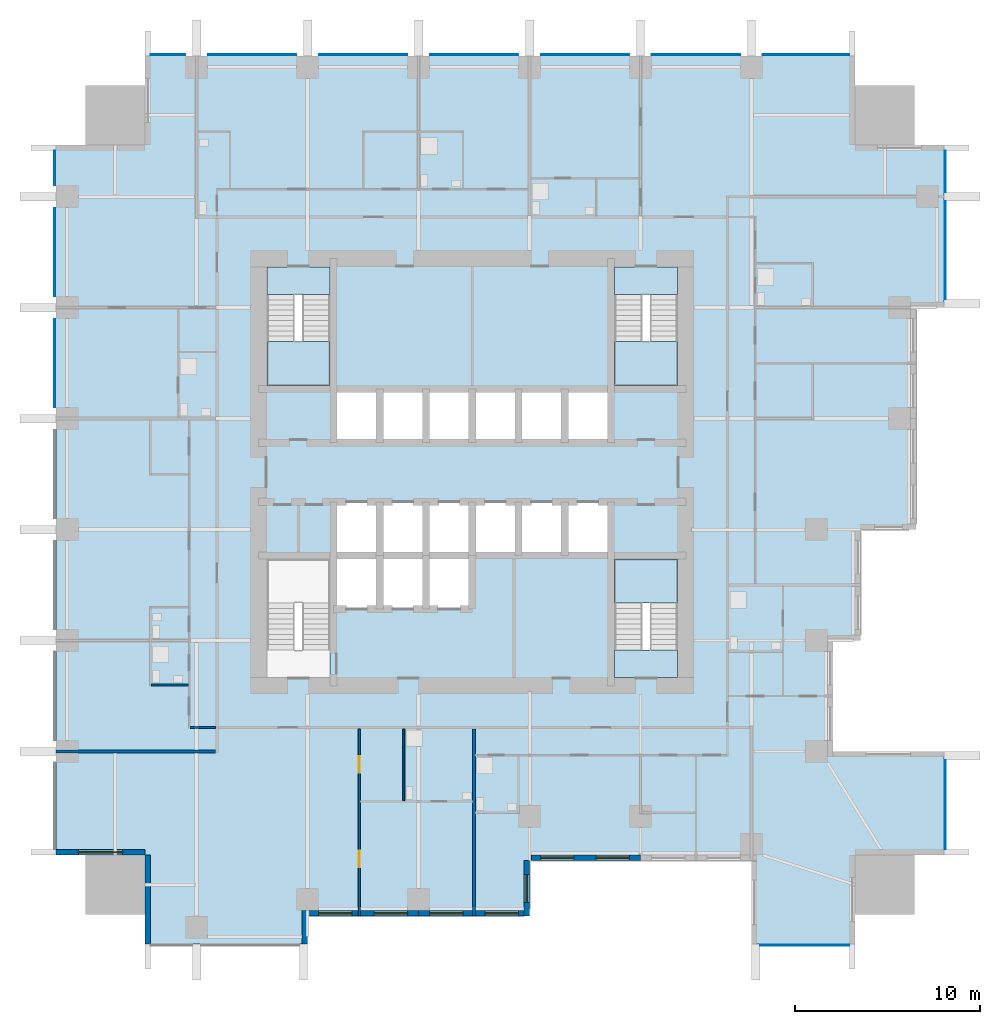
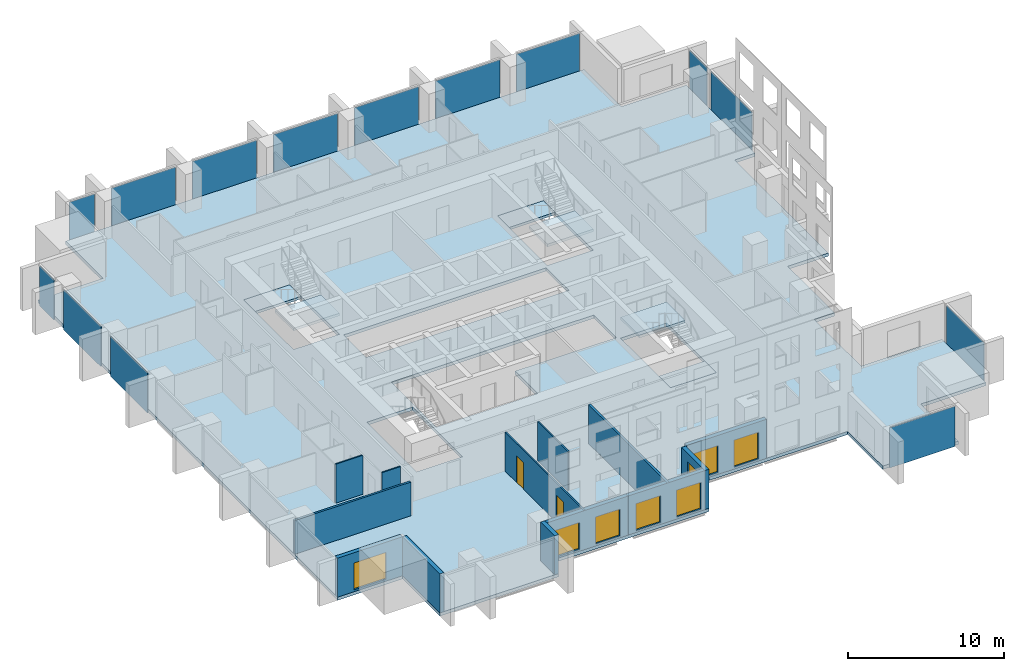
# One storey, part 3 of 11: 14 plates, 13 walls, 8 windows, 7 slabs, 2 doors, 10 openings, 8 elements without a shape of their own.
"""IFC4 building model written with IfcOpenShell, lengths in metres."""

from ifc_helpers import new_model, si_unit, direction, frame, frame_2d, origin, origin_2d, place, context, subcontext, project, spatial, polyline, rectangle, outline, extrude, material, layer, layer_set, type_object, element, fill, aggregate, save


model = new_model("IFC4")

# Units and contexts
model_context = context("Model", 3, precision=1e-05, world=origin(), true_north=direction((0.0, 1.0)))
body_context = subcontext(model_context, "Body", "Model", "MODEL_VIEW")
ifc_project = project(units=[si_unit("LENGTHUNIT", "METRE"), si_unit("AREAUNIT", "SQUARE_METRE"), si_unit("VOLUMEUNIT", "CUBIC_METRE"), si_unit("PLANEANGLEUNIT", "RADIAN"), si_unit("MASSUNIT", "GRAM", prefix="KILO")], contexts=[model_context])

# Site, building, storey
site_placement = place(None, origin())
site = spatial("IfcSite", under=ifc_project, at=site_placement, CompositionType="ELEMENT")
building_placement = place(site_placement, origin())
building = spatial("IfcBuilding", under=site, at=building_placement, Name="Amberfall Residences", CompositionType="ELEMENT")
storey_placement = place(building_placement, frame((0.0, 0.0, 33.39990234375)))
storey = spatial("IfcBuildingStorey", under=building, at=storey_placement, Name="L08", CompositionType="ELEMENT", Elevation=33.39990234375)

# Curtain wall, plate
ifc_material_1 = material(Name="Bronze anodised aluminium and glass", Category="aluminium")
curtain_wall_type = type_object("IfcCurtainWallType", Name="Curtain wall CW1 tower unit", PredefinedType="USERDEFINED", material=ifc_material_1)
curtain_wall_1_placement = place(storey_placement, origin())
curtain_wall_1 = element("IfcCurtainWall", 1, at=curtain_wall_1_placement, inside=storey, type_object=curtain_wall_type, Name="Curtain wall L08 S S9", ObjectType="UNITISED CURTAIN WALL", PredefinedType="USERDEFINED")
ifc_material_2 = material(Name="Tinted double glazed unit", Category="glass")
ifc_layer_1 = layer(ifc_material_2, 0.035888671875)
ifc_layer_set_1 = layer_set([ifc_layer_1], Name="CW1 panel 36 glazing")
plate_type = type_object("IfcPlateType", Name="CW1 panel 36 glazing", PredefinedType="CURTAIN_PANEL", material=ifc_layer_set_1)
plate_1_placement = place(storey_placement, frame((92.47509765625, 19.925048828125, -0.249755859375), z_axis=(0.0, 0.0, 1.0), x_axis=(1.0, 0.0, 0.0)))
plate_1 = element("IfcPlate", 2, at=plate_1_placement, type_object=plate_type, Name="CW1 panel 1.1", PredefinedType="CURTAIN_PANEL", context=body_context, shape_type="SweptSolid", body=[
    extrude(rectangle(XDim=4.825927734375, YDim=0.035888671875, at=origin_2d()), origin(), (0.0, 0.0, 1.0), 3.14990234375),
])
aggregate(curtain_wall_1, [plate_1])

curtain_wall_2_placement = place(storey_placement, origin())
curtain_wall_2 = element("IfcCurtainWall", 3, at=curtain_wall_2_placement, inside=storey, type_object=curtain_wall_type, Name="Curtain wall L08 E E1", ObjectType="UNITISED CURTAIN WALL", PredefinedType="USERDEFINED")
plate_2_placement = place(storey_placement, frame((100.074951171875, 27.52490234375, -0.249755859375), z_axis=(0.0, 0.0, 1.0), x_axis=(0.0, 1.0, 0.0)))
plate_2 = element("IfcPlate", 4, at=plate_2_placement, type_object=plate_type, Name="CW1 panel 1.1", PredefinedType="CURTAIN_PANEL", context=body_context, shape_type="SweptSolid", body=[
    extrude(rectangle(XDim=4.825927734375, YDim=0.035888671875, at=origin_2d()), origin(), (0.0, 0.0, 1.0), 3.14990234375),
])
aggregate(curtain_wall_2, [plate_2])

# Curtain wall, plates
curtain_wall_3_placement = place(storey_placement, origin())
curtain_wall_3 = element("IfcCurtainWall", 5, at=curtain_wall_3_placement, inside=storey, type_object=curtain_wall_type, Name="Curtain wall L08 E E10", ObjectType="UNITISED CURTAIN WALL", PredefinedType="USERDEFINED")
plate_3_placement = place(storey_placement, frame((100.074951171875, 57.512451171875, -0.249755859375), z_axis=(0.0, 0.0, 1.0), x_axis=(0.0, 1.0, 0.0)))
plate_3 = element("IfcPlate", 6, at=plate_3_placement, type_object=plate_type, Name="CW1 panel 1.1", PredefinedType="CURTAIN_PANEL", context=body_context, shape_type="SweptSolid", body=[
    extrude(rectangle(XDim=5.301025390625, YDim=0.035888671875, at=origin_2d()), origin(), (0.0, 0.0, 1.0), 3.14990234375),
])
plate_4_placement = place(storey_placement, frame((100.074951171875, 61.762451171875, -0.249755859375), z_axis=(0.0, 0.0, 1.0), x_axis=(0.0, 1.0, 0.0)))
plate_4 = element("IfcPlate", 7, at=plate_4_placement, type_object=plate_type, Name="CW1 panel 2.1", PredefinedType="CURTAIN_PANEL", context=body_context, shape_type="SweptSolid", body=[
    extrude(rectangle(XDim=2.2509765625, YDim=0.035888671875, at=origin_2d()), origin(), (0.0, 0.0, 1.0), 3.14990234375),
])
aggregate(curtain_wall_3, [plate_3, plate_4])

curtain_wall_4_placement = place(storey_placement, origin())
curtain_wall_4 = element("IfcCurtainWall", 8, at=curtain_wall_4_placement, inside=storey, type_object=curtain_wall_type, Name="Curtain wall L08 N N1", ObjectType="UNITISED CURTAIN WALL", PredefinedType="USERDEFINED")
plate_5_placement = place(storey_placement, frame((92.552490234375, 68.074951171875, -0.249755859375), z_axis=(0.0, 0.0, 1.0), x_axis=(-1.0, 0.0, 0.0)))
plate_5 = element("IfcPlate", 9, at=plate_5_placement, type_object=plate_type, Name="CW1 panel 1.1", PredefinedType="CURTAIN_PANEL", context=body_context, shape_type="SweptSolid", body=[
    extrude(rectangle(XDim=4.6708984375, YDim=0.035888671875, at=origin_2d()), origin(), (0.0, 0.0, 1.0), 3.14990234375),
])
plate_6_placement = place(storey_placement, frame((86.60009765625, 68.074951171875, -0.249755859375), z_axis=(0.0, 0.0, 1.0), x_axis=(-1.0, 0.0, 0.0)))
plate_6 = element("IfcPlate", 10, at=plate_6_placement, type_object=plate_type, Name="CW1 panel 2.1", PredefinedType="CURTAIN_PANEL", context=body_context, shape_type="SweptSolid", body=[
    extrude(rectangle(XDim=4.76611328125, YDim=0.035888671875, at=origin_2d()), origin(), (0.0, 0.0, 1.0), 3.14990234375),
])
plate_7_placement = place(storey_placement, frame((80.60009765625, 68.074951171875, -0.249755859375), z_axis=(0.0, 0.0, 1.0), x_axis=(-1.0, 0.0, 0.0)))
plate_7 = element("IfcPlate", 11, at=plate_7_placement, type_object=plate_type, Name="CW1 panel 3.1", PredefinedType="CURTAIN_PANEL", context=body_context, shape_type="SweptSolid", body=[
    extrude(rectangle(XDim=4.76611328125, YDim=0.035888671875, at=origin_2d()), origin(), (0.0, 0.0, 1.0), 3.14990234375),
])
plate_8_placement = place(storey_placement, frame((74.60009765625, 68.074951171875, -0.249755859375), z_axis=(0.0, 0.0, 1.0), x_axis=(-1.0, 0.0, 0.0)))
plate_8 = element("IfcPlate", 12, at=plate_8_placement, type_object=plate_type, Name="CW1 panel 4.1", PredefinedType="CURTAIN_PANEL", context=body_context, shape_type="SweptSolid", body=[
    extrude(rectangle(XDim=4.76611328125, YDim=0.035888671875, at=origin_2d()), origin(), (0.0, 0.0, 1.0), 3.14990234375),
])
plate_9_placement = place(storey_placement, frame((68.60009765625, 68.074951171875, -0.249755859375), z_axis=(0.0, 0.0, 1.0), x_axis=(-1.0, 0.0, 0.0)))
plate_9 = element("IfcPlate", 13, at=plate_9_placement, type_object=plate_type, Name="CW1 panel 5.1", PredefinedType="CURTAIN_PANEL", context=body_context, shape_type="SweptSolid", body=[
    extrude(rectangle(XDim=4.76611328125, YDim=0.035888671875, at=origin_2d()), origin(), (0.0, 0.0, 1.0), 3.14990234375),
])
plate_10_placement = place(storey_placement, frame((62.60009765625, 68.074951171875, -0.249755859375), z_axis=(0.0, 0.0, 1.0), x_axis=(-1.0, 0.0, 0.0)))
plate_10 = element("IfcPlate", 14, at=plate_10_placement, type_object=plate_type, Name="CW1 panel 6.1", PredefinedType="CURTAIN_PANEL", context=body_context, shape_type="SweptSolid", body=[
    extrude(rectangle(XDim=4.76611328125, YDim=0.035888671875, at=origin_2d()), origin(), (0.0, 0.0, 1.0), 3.14990234375),
])
plate_11_placement = place(storey_placement, frame((58.047607421875, 68.074951171875, -0.249755859375), z_axis=(0.0, 0.0, 1.0), x_axis=(-1.0, 0.0, 0.0)))
plate_11 = element("IfcPlate", 15, at=plate_11_placement, type_object=plate_type, Name="CW1 panel 7.1", PredefinedType="CURTAIN_PANEL", context=body_context, shape_type="SweptSolid", body=[
    extrude(rectangle(XDim=1.87109375, YDim=0.035888671875, at=origin_2d()), origin(), (0.0, 0.0, 1.0), 3.14990234375),
])
aggregate(curtain_wall_4, [plate_5, plate_6, plate_7, plate_8, plate_9, plate_10, plate_11])

curtain_wall_5_placement = place(storey_placement, origin())
curtain_wall_5 = element("IfcCurtainWall", 16, at=curtain_wall_5_placement, inside=storey, type_object=curtain_wall_type, Name="Curtain wall L08 W W1", ObjectType="UNITISED CURTAIN WALL", PredefinedType="USERDEFINED")
plate_12_placement = place(storey_placement, frame((51.925048828125, 61.952392578125, -0.249755859375), z_axis=(0.0, 0.0, 1.0), x_axis=(0.0, -1.0, 0.0)))
plate_12 = element("IfcPlate", 17, at=plate_12_placement, type_object=plate_type, Name="CW1 panel 1.1", PredefinedType="CURTAIN_PANEL", context=body_context, shape_type="SweptSolid", body=[
    extrude(rectangle(XDim=1.87109375, YDim=0.035888671875, at=origin_2d()), origin(), (0.0, 0.0, 1.0), 3.14990234375),
])
plate_13_placement = place(storey_placement, frame((51.925048828125, 57.39990234375, -0.249755859375), z_axis=(0.0, 0.0, 1.0), x_axis=(0.0, -1.0, 0.0)))
plate_13 = element("IfcPlate", 18, at=plate_13_placement, type_object=plate_type, Name="CW1 panel 2.1", PredefinedType="CURTAIN_PANEL", context=body_context, shape_type="SweptSolid", body=[
    extrude(rectangle(XDim=4.76611328125, YDim=0.035888671875, at=origin_2d()), origin(), (0.0, 0.0, 1.0), 3.14990234375),
])
plate_14_placement = place(storey_placement, frame((51.925048828125, 51.39990234375, -0.249755859375), z_axis=(0.0, 0.0, 1.0), x_axis=(0.0, -1.0, 0.0)))
plate_14 = element("IfcPlate", 19, at=plate_14_placement, type_object=plate_type, Name="CW1 panel 3.1", PredefinedType="CURTAIN_PANEL", context=body_context, shape_type="SweptSolid", body=[
    extrude(rectangle(XDim=4.76611328125, YDim=0.035888671875, at=origin_2d()), origin(), (0.0, 0.0, 1.0), 3.14990234375),
])
aggregate(curtain_wall_5, [plate_12, plate_13, plate_14])

# Slab
ifc_material_3 = material(Name="Concrete C80", Category="concrete")
ifc_layer_2 = layer(ifc_material_3, 0.25)
ifc_layer_set_2 = layer_set([ifc_layer_2], Name="Floor slab 250 C80")
slab_type_1 = type_object("IfcSlabType", Name="Floor slab 250 C80", PredefinedType="FLOOR", material=ifc_layer_set_2)
slab_1_placement = place(storey_placement, frame((0.0, 0.0, -0.25)))
element("IfcSlab", 20, at=slab_1_placement, inside=storey, type_object=slab_type_1, Name="Floor slab S3 L08", PredefinedType="FLOOR", context=body_context, shape_type="SweptSolid", body=[
    extrude(outline(polyline([(89.60009765625, 20.0), (89.60009765625, 24.5), (83.60009765625, 24.5), (77.60009765625, 24.5), (77.60009765625, 21.5), (71.60009765625, 21.5), (65.60009765625, 21.5), (65.60009765625, 20.0), (56.800048828125, 20.0), (56.800048828125, 24.800048828125), (52.0, 24.800048828125), (52.0, 63.199951171875), (56.800048828125, 63.199951171875), (56.800048828125, 68.0), (95.199951171875, 68.0), (95.199951171875, 63.199951171875), (100.0, 63.199951171875), (100.0, 54.39990234375), (98.5, 54.39990234375), (98.5, 48.39990234375), (98.5, 42.39990234375), (95.5, 42.39990234375), (95.5, 36.39990234375), (94.0, 36.39990234375), (94.0, 30.39990234375), (100.0, 30.39990234375), (100.0, 24.800048828125), (95.199951171875, 24.800048828125), (95.199951171875, 20.0), (89.60009765625, 20.0)]), holes=[polyline([(85.60009765625, 34.39990234375), (85.60009765625, 40.800048828125), (82.199951171875, 40.800048828125), (82.199951171875, 34.39990234375), (85.60009765625, 34.39990234375)]), polyline([(82.199951171875, 50.199951171875), (85.60009765625, 50.199951171875), (85.60009765625, 56.60009765625), (82.199951171875, 56.60009765625), (82.199951171875, 50.199951171875)]), polyline([(69.5, 50.0), (67.0, 50.0), (67.0, 47.10009765625), (69.5, 47.10009765625), (72.0, 47.10009765625), (74.5, 47.10009765625), (77.0, 47.10009765625), (79.5, 47.10009765625), (82.0, 47.10009765625), (82.0, 50.0), (79.5, 50.0), (77.0, 50.0), (74.5, 50.0), (72.0, 50.0), (69.5, 50.0)]), polyline([(74.5, 41.0), (77.0, 41.0), (79.5, 41.0), (82.0, 41.0), (82.0, 43.89990234375), (79.5, 43.89990234375), (77.0, 43.89990234375), (74.5, 43.89990234375), (72.0, 43.89990234375), (69.5, 43.89990234375), (67.0, 43.89990234375), (67.0, 41.0), (67.0, 38.10009765625), (69.5, 38.10009765625), (72.0, 38.10009765625), (74.5, 38.10009765625), (74.5, 41.0)]), polyline([(66.800048828125, 34.39990234375), (66.800048828125, 40.800048828125), (63.39990234375, 40.800048828125), (63.39990234375, 34.39990234375), (66.800048828125, 34.39990234375)]), polyline([(66.800048828125, 50.199951171875), (66.800048828125, 56.60009765625), (63.39990234375, 56.60009765625), (63.39990234375, 50.199951171875), (66.800048828125, 50.199951171875)])]), origin(), (0.0, 0.0, 1.0), 0.25),
])

# Stair, slabs
ifc_material_4 = material(Name="Concrete C40", Category="concrete")
stair_type = type_object("IfcStairType", Name="Exit stair 20 risers 165.0 mm", PredefinedType="HALF_TURN_STAIR", material=ifc_material_4)
stair_1_placement = place(storey_placement, origin())
stair_1 = element("IfcStair", 21, at=stair_1_placement, inside=storey, type_object=stair_type, Name="L08 Exit stair 2", PredefinedType="HALF_TURN_STAIR")
ifc_layer_3 = layer(ifc_material_4, 0.199951171875)
ifc_layer_set_3 = layer_set([ifc_layer_3], Name="Stair landing 200")
slab_type_2 = type_object("IfcSlabType", Name="Stair landing 200", PredefinedType="LANDING", material=ifc_layer_set_3)
slab_2_placement = place(storey_placement, frame((0.0, 0.0, 1.4501953125)))
slab_2 = element("IfcSlab", 22, at=slab_2_placement, type_object=slab_type_2, Name="ST3 landing 1", PredefinedType="LANDING", context=body_context, shape_type="SweptSolid", body=[
    extrude(outline(polyline([(85.60009765625, 38.419921875), (85.60009765625, 40.800048828125), (82.199951171875, 40.800048828125), (82.199951171875, 38.419921875), (85.60009765625, 38.419921875)])), origin(), (0.0, 0.0, 1.0), 0.199951171875),
])
slab_3_placement = place(storey_placement, frame((0.0, 0.0, -0.199951171875)))
slab_3 = element("IfcSlab", 23, at=slab_3_placement, type_object=slab_type_2, Name="ST3 landing 2", PredefinedType="LANDING", context=body_context, shape_type="SweptSolid", body=[
    extrude(outline(polyline([(85.60009765625, 34.39990234375), (85.60009765625, 35.89990234375), (82.199951171875, 35.89990234375), (82.199951171875, 34.39990234375), (85.60009765625, 34.39990234375)])), origin(), (0.0, 0.0, 1.0), 0.199951171875),
])
aggregate(stair_1, [slab_2, slab_3])

stair_2_placement = place(storey_placement, origin())
stair_2 = element("IfcStair", 24, at=stair_2_placement, inside=storey, type_object=stair_type, Name="L08 Exit stair 3", PredefinedType="HALF_TURN_STAIR")
slab_4_placement = place(storey_placement, frame((0.0, 0.0, 1.4501953125)))
slab_4 = element("IfcSlab", 25, at=slab_4_placement, type_object=slab_type_2, Name="ST3 landing 1", PredefinedType="LANDING", context=body_context, shape_type="SweptSolid", body=[
    extrude(outline(polyline([(82.199951171875, 52.580078125), (82.199951171875, 50.199951171875), (85.60009765625, 50.199951171875), (85.60009765625, 52.580078125), (82.199951171875, 52.580078125)])), origin(), (0.0, 0.0, 1.0), 0.199951171875),
])
slab_5_placement = place(storey_placement, frame((0.0, 0.0, -0.199951171875)))
slab_5 = element("IfcSlab", 26, at=slab_5_placement, type_object=slab_type_2, Name="ST3 landing 2", PredefinedType="LANDING", context=body_context, shape_type="SweptSolid", body=[
    extrude(outline(polyline([(82.199951171875, 56.60009765625), (82.199951171875, 55.10009765625), (85.60009765625, 55.10009765625), (85.60009765625, 56.60009765625), (82.199951171875, 56.60009765625)])), origin(), (0.0, 0.0, 1.0), 0.199951171875),
])
aggregate(stair_2, [slab_4, slab_5])

stair_3_placement = place(storey_placement, origin())
stair_3 = element("IfcStair", 27, at=stair_3_placement, inside=storey, type_object=stair_type, Name="L08 Exit stair 4", PredefinedType="HALF_TURN_STAIR")
slab_6_placement = place(storey_placement, frame((0.0, 0.0, 1.4501953125)))
slab_6 = element("IfcSlab", 28, at=slab_6_placement, type_object=slab_type_2, Name="ST3 landing 1", PredefinedType="LANDING", context=body_context, shape_type="SweptSolid", body=[
    extrude(outline(polyline([(63.39990234375, 52.580078125), (63.39990234375, 50.199951171875), (66.800048828125, 50.199951171875), (66.800048828125, 52.580078125), (63.39990234375, 52.580078125)])), origin(), (0.0, 0.0, 1.0), 0.199951171875),
])
slab_7_placement = place(storey_placement, frame((0.0, 0.0, -0.199951171875)))
slab_7 = element("IfcSlab", 29, at=slab_7_placement, type_object=slab_type_2, Name="ST3 landing 2", PredefinedType="LANDING", context=body_context, shape_type="SweptSolid", body=[
    extrude(outline(polyline([(63.39990234375, 56.60009765625), (63.39990234375, 55.10009765625), (66.800048828125, 55.10009765625), (66.800048828125, 56.60009765625), (63.39990234375, 56.60009765625)])), origin(), (0.0, 0.0, 1.0), 0.199951171875),
])
aggregate(stair_3, [slab_6, slab_7])

# Wall
ifc_material_5 = material(Name="Pale stone cladding on insulated backing", Category="masonry")
ifc_layer_4 = layer(ifc_material_5, 0.300048828125)
ifc_layer_set_4 = layer_set([ifc_layer_4], Name="Bronze clad wall 300")
wall_type_1 = type_object("IfcWallType", Name="Bronze clad wall 300", PredefinedType="SOLIDWALL", material=ifc_layer_set_4)
wall_1_placement = place(storey_placement, frame((65.449951171875, 20.0, 0.0), z_axis=(0.0, 0.0, 1.0), x_axis=(0.0, 1.0, 0.0)))
element("IfcWall", 30, at=wall_1_placement, inside=storey, type_object=wall_type_1, Name="External wall L08 S", PredefinedType="SOLIDWALL", context=body_context, shape_type="SweptSolid", body=[
    extrude(rectangle(XDim=1.800048828125, YDim=0.300048828125, at=frame_2d((0.89990234375, 0.0))), origin(), (0.0, 0.0, 1.0), 3.050048828125),
])

# Wall, opening, window
wall_2_placement = place(storey_placement, frame((77.449951171875, 21.5, 0.0), z_axis=(0.0, 0.0, 1.0), x_axis=(0.0, 1.0, 0.0)))
wall_2 = element("IfcWall", 31, at=wall_2_placement, inside=storey, type_object=wall_type_1, Name="External wall L08 S", PredefinedType="SOLIDWALL", context=body_context, shape_type="SweptSolid", body=[
    extrude(rectangle(XDim=3.0, YDim=0.300048828125, at=frame_2d((1.5, 0.0))), origin(), (0.0, 0.0, 1.0), 3.050048828125),
])
opening_1_placement = place(wall_2_placement, frame((0.75, 0.0, 0.89990234375)))
opening_1 = element("IfcOpeningElement", 32, at=opening_1_placement, cuts=wall_2, Name="Opening WN1", PredefinedType="OPENING", context=body_context, shape_type="SweptSolid", body=[
    extrude(rectangle(XDim=1.5, YDim=1.5, at=frame_2d((0.75, 0.75))), frame((0.0, 0.159912109375, 0.0), z_axis=(0.0, -1.0, 0.0), x_axis=(1.0, 0.0, 0.0)), (0.0, 0.0, 1.0), 0.320068359375),
])
ifc_material_6 = material(Name="Bronze aluminium framed glazing", Category="aluminium")
window_type_1 = type_object("IfcWindowType", Name="Window 1500 x 1500 bronze", PartitioningType="DOUBLE_PANEL_VERTICAL", PredefinedType="WINDOW", material=ifc_material_6)
window_1_placement = place(opening_1_placement, origin())
window_1 = element("IfcWindow", 33, at=window_1_placement, inside=storey, type_object=window_type_1, Name="Window L08 S", OverallHeight=1.5, OverallWidth=1.5, PartitioningType="DOUBLE_PANEL_VERTICAL", PredefinedType="WINDOW", context=body_context, shape_type="SweptSolid", body=[
    extrude(rectangle(XDim=1.5, YDim=1.5, at=frame_2d((0.75, 0.75))), frame((0.0, 0.030029296875, 0.0), z_axis=(0.0, -1.0, 0.0), x_axis=(1.0, 0.0, 0.0)), (0.0, 0.0, 1.0), 0.06005859375),
])
fill(opening_1, window_1)

wall_3_placement = place(storey_placement, frame((52.0, 24.949951171875, 0.0), z_axis=(0.0, 0.0, 1.0), x_axis=(1.0, 0.0, 0.0)))
wall_3 = element("IfcWall", 34, at=wall_3_placement, inside=storey, type_object=wall_type_1, Name="External wall L08 SW", PredefinedType="SOLIDWALL", context=body_context, shape_type="SweptSolid", body=[
    extrude(rectangle(XDim=4.800048828125, YDim=0.300048828125, at=frame_2d((2.39990234375, 0.0))), origin(), (0.0, 0.0, 1.0), 3.050048828125),
])
opening_2_placement = place(wall_3_placement, frame((1.199951171875, 0.0, 0.14990234375)))
opening_2 = element("IfcOpeningElement", 35, at=opening_2_placement, cuts=wall_3, Name="Opening WN5", PredefinedType="OPENING", context=body_context, shape_type="SweptSolid", body=[
    extrude(rectangle(XDim=2.39990234375, YDim=2.10009765625, at=frame_2d((1.199951171875, 1.050048828125))), frame((0.0, 0.159912109375, 0.0), z_axis=(0.0, -1.0, 0.0), x_axis=(1.0, 0.0, 0.0)), (0.0, 0.0, 1.0), 0.320068359375),
])
window_type_2 = type_object("IfcWindowType", Name="Glazed opening 2400 x 2100 bronze", PartitioningType="DOUBLE_PANEL_VERTICAL", PredefinedType="WINDOW", material=ifc_material_6)
window_2_placement = place(opening_2_placement, origin())
window_2 = element("IfcWindow", 36, at=window_2_placement, inside=storey, type_object=window_type_2, Name="Window L08 SW", OverallHeight=2.10009765625, OverallWidth=2.39990234375, PartitioningType="DOUBLE_PANEL_VERTICAL", PredefinedType="WINDOW", context=body_context, shape_type="SweptSolid", body=[
    extrude(rectangle(XDim=2.39990234375, YDim=2.10009765625, at=frame_2d((1.199951171875, 1.050048828125))), frame((0.0, 0.030029296875, 0.0), z_axis=(0.0, -1.0, 0.0), x_axis=(1.0, 0.0, 0.0)), (0.0, 0.0, 1.0), 0.06005859375),
])
fill(opening_2, window_2)

# Wall
wall_4_placement = place(storey_placement, frame((56.949951171875, 24.800048828125, 0.0), z_axis=(0.0, 0.0, 1.0), x_axis=(0.0, -1.0, 0.0)))
element("IfcWall", 37, at=wall_4_placement, inside=storey, type_object=wall_type_1, Name="External wall L08 SW", PredefinedType="SOLIDWALL", context=body_context, shape_type="SweptSolid", body=[
    extrude(rectangle(XDim=4.800048828125, YDim=0.300048828125, at=frame_2d((2.39990234375, 0.0))), origin(), (0.0, 0.0, 1.0), 3.050048828125),
])

# Wall, openings, windows
wall_5_placement = place(storey_placement, frame((65.60009765625, 21.64990234375, 0.0), z_axis=(0.0, 0.0, 1.0), x_axis=(1.0, 0.0, 0.0)))
wall_5 = element("IfcWall", 38, at=wall_5_placement, inside=storey, type_object=wall_type_1, Name="Stone wall L08 S", PredefinedType="SOLIDWALL", context=body_context, shape_type="SweptSolid", body=[
    extrude(rectangle(XDim=6.0, YDim=0.300048828125, at=frame_2d((3.0, 0.0))), origin(), (0.0, 0.0, 1.0), 3.050048828125),
])
opening_3_placement = place(wall_5_placement, frame((0.60009765625, 0.0, 0.14990234375)))
opening_3 = element("IfcOpeningElement", 39, at=opening_3_placement, cuts=wall_5, Name="Opening WN6", PredefinedType="OPENING", context=body_context, shape_type="SweptSolid", body=[
    extrude(rectangle(XDim=1.800048828125, YDim=2.10009765625, at=frame_2d((0.89990234375, 1.050048828125))), frame((0.0, 0.159912109375, 0.0), z_axis=(0.0, -1.0, 0.0), x_axis=(1.0, 0.0, 0.0)), (0.0, 0.0, 1.0), 0.320068359375),
])
opening_4_placement = place(wall_5_placement, frame((3.60009765625, 0.0, 0.14990234375)))
opening_4 = element("IfcOpeningElement", 40, at=opening_4_placement, cuts=wall_5, Name="Opening WN6", PredefinedType="OPENING", context=body_context, shape_type="SweptSolid", body=[
    extrude(rectangle(XDim=1.800048828125, YDim=2.10009765625, at=frame_2d((0.89990234375, 1.050048828125))), frame((0.0, 0.159912109375, 0.0), z_axis=(0.0, -1.0, 0.0), x_axis=(1.0, 0.0, 0.0)), (0.0, 0.0, 1.0), 0.320068359375),
])
window_type_3 = type_object("IfcWindowType", Name="Glazed opening 1800 x 2100 bronze", PartitioningType="DOUBLE_PANEL_VERTICAL", PredefinedType="WINDOW", material=ifc_material_6)
window_3_placement = place(opening_3_placement, origin())
window_3 = element("IfcWindow", 41, at=window_3_placement, inside=storey, type_object=window_type_3, Name="Window L08 S", OverallHeight=2.10009765625, OverallWidth=1.800048828125, PartitioningType="DOUBLE_PANEL_VERTICAL", PredefinedType="WINDOW", context=body_context, shape_type="SweptSolid", body=[
    extrude(rectangle(XDim=1.800048828125, YDim=2.10009765625, at=frame_2d((0.89990234375, 1.050048828125))), frame((0.0, 0.030029296875, 0.0), z_axis=(0.0, -1.0, 0.0), x_axis=(1.0, 0.0, 0.0)), (0.0, 0.0, 1.0), 0.06005859375),
])
fill(opening_3, window_3)
window_4_placement = place(opening_4_placement, origin())
window_4 = element("IfcWindow", 42, at=window_4_placement, inside=storey, type_object=window_type_3, Name="Window L08 S", OverallHeight=2.10009765625, OverallWidth=1.800048828125, PartitioningType="DOUBLE_PANEL_VERTICAL", PredefinedType="WINDOW", context=body_context, shape_type="SweptSolid", body=[
    extrude(rectangle(XDim=1.800048828125, YDim=2.10009765625, at=frame_2d((0.89990234375, 1.050048828125))), frame((0.0, 0.030029296875, 0.0), z_axis=(0.0, -1.0, 0.0), x_axis=(1.0, 0.0, 0.0)), (0.0, 0.0, 1.0), 0.06005859375),
])
fill(opening_4, window_4)

wall_6_placement = place(storey_placement, frame((71.60009765625, 21.64990234375, 0.0), z_axis=(0.0, 0.0, 1.0), x_axis=(1.0, 0.0, 0.0)))
wall_6 = element("IfcWall", 43, at=wall_6_placement, inside=storey, type_object=wall_type_1, Name="Stone wall L08 S", PredefinedType="SOLIDWALL", context=body_context, shape_type="SweptSolid", body=[
    extrude(rectangle(XDim=5.699951171875, YDim=0.300048828125, at=frame_2d((2.85009765625, 0.0))), origin(), (0.0, 0.0, 1.0), 3.050048828125),
])
opening_5_placement = place(wall_6_placement, frame((0.60009765625, 0.0, 0.14990234375)))
opening_5 = element("IfcOpeningElement", 44, at=opening_5_placement, cuts=wall_6, Name="Opening WN6", PredefinedType="OPENING", context=body_context, shape_type="SweptSolid", body=[
    extrude(rectangle(XDim=1.800048828125, YDim=2.10009765625, at=frame_2d((0.89990234375, 1.050048828125))), frame((0.0, 0.159912109375, 0.0), z_axis=(0.0, -1.0, 0.0), x_axis=(1.0, 0.0, 0.0)), (0.0, 0.0, 1.0), 0.320068359375),
])
opening_6_placement = place(wall_6_placement, frame((3.60009765625, 0.0, 0.14990234375)))
opening_6 = element("IfcOpeningElement", 45, at=opening_6_placement, cuts=wall_6, Name="Opening WN6", PredefinedType="OPENING", context=body_context, shape_type="SweptSolid", body=[
    extrude(rectangle(XDim=1.800048828125, YDim=2.10009765625, at=frame_2d((0.89990234375, 1.050048828125))), frame((0.0, 0.159912109375, 0.0), z_axis=(0.0, -1.0, 0.0), x_axis=(1.0, 0.0, 0.0)), (0.0, 0.0, 1.0), 0.320068359375),
])
window_5_placement = place(opening_5_placement, origin())
window_5 = element("IfcWindow", 46, at=window_5_placement, inside=storey, type_object=window_type_3, Name="Window L08 S", OverallHeight=2.10009765625, OverallWidth=1.800048828125, PartitioningType="DOUBLE_PANEL_VERTICAL", PredefinedType="WINDOW", context=body_context, shape_type="SweptSolid", body=[
    extrude(rectangle(XDim=1.800048828125, YDim=2.10009765625, at=frame_2d((0.89990234375, 1.050048828125))), frame((0.0, 0.030029296875, 0.0), z_axis=(0.0, -1.0, 0.0), x_axis=(1.0, 0.0, 0.0)), (0.0, 0.0, 1.0), 0.06005859375),
])
fill(opening_5, window_5)
window_6_placement = place(opening_6_placement, origin())
window_6 = element("IfcWindow", 47, at=window_6_placement, inside=storey, type_object=window_type_3, Name="Window L08 S", OverallHeight=2.10009765625, OverallWidth=1.800048828125, PartitioningType="DOUBLE_PANEL_VERTICAL", PredefinedType="WINDOW", context=body_context, shape_type="SweptSolid", body=[
    extrude(rectangle(XDim=1.800048828125, YDim=2.10009765625, at=frame_2d((0.89990234375, 1.050048828125))), frame((0.0, 0.030029296875, 0.0), z_axis=(0.0, -1.0, 0.0), x_axis=(1.0, 0.0, 0.0)), (0.0, 0.0, 1.0), 0.06005859375),
])
fill(opening_6, window_6)

wall_7_placement = place(storey_placement, frame((77.68994140625, 24.64990234375, 0.0), z_axis=(0.0, 0.0, 1.0), x_axis=(1.0, 0.0, 0.0)))
wall_7 = element("IfcWall", 48, at=wall_7_placement, inside=storey, type_object=wall_type_1, Name="Stone wall L08 S", PredefinedType="SOLIDWALL", context=body_context, shape_type="SweptSolid", body=[
    extrude(rectangle(XDim=5.91015625, YDim=0.300048828125, at=frame_2d((2.955078125, 0.0))), origin(), (0.0, 0.0, 1.0), 3.050048828125),
])
opening_7_placement = place(wall_7_placement, frame((0.510009765625, 0.0, 0.14990234375)))
opening_7 = element("IfcOpeningElement", 49, at=opening_7_placement, cuts=wall_7, Name="Opening WN6", PredefinedType="OPENING", context=body_context, shape_type="SweptSolid", body=[
    extrude(rectangle(XDim=1.800048828125, YDim=2.10009765625, at=frame_2d((0.89990234375, 1.050048828125))), frame((0.0, 0.159912109375, 0.0), z_axis=(0.0, -1.0, 0.0), x_axis=(1.0, 0.0, 0.0)), (0.0, 0.0, 1.0), 0.320068359375),
])
opening_8_placement = place(wall_7_placement, frame((3.510009765625, 0.0, 0.14990234375)))
opening_8 = element("IfcOpeningElement", 50, at=opening_8_placement, cuts=wall_7, Name="Opening WN6", PredefinedType="OPENING", context=body_context, shape_type="SweptSolid", body=[
    extrude(rectangle(XDim=1.800048828125, YDim=2.10009765625, at=frame_2d((0.89990234375, 1.050048828125))), frame((0.0, 0.159912109375, 0.0), z_axis=(0.0, -1.0, 0.0), x_axis=(1.0, 0.0, 0.0)), (0.0, 0.0, 1.0), 0.320068359375),
])
window_7_placement = place(opening_7_placement, origin())
window_7 = element("IfcWindow", 51, at=window_7_placement, inside=storey, type_object=window_type_3, Name="Window L08 S", OverallHeight=2.10009765625, OverallWidth=1.800048828125, PartitioningType="DOUBLE_PANEL_VERTICAL", PredefinedType="WINDOW", context=body_context, shape_type="SweptSolid", body=[
    extrude(rectangle(XDim=1.800048828125, YDim=2.10009765625, at=frame_2d((0.89990234375, 1.050048828125))), frame((0.0, 0.030029296875, 0.0), z_axis=(0.0, -1.0, 0.0), x_axis=(1.0, 0.0, 0.0)), (0.0, 0.0, 1.0), 0.06005859375),
])
fill(opening_7, window_7)
window_8_placement = place(opening_8_placement, origin())
window_8 = element("IfcWindow", 52, at=window_8_placement, inside=storey, type_object=window_type_3, Name="Window L08 S", OverallHeight=2.10009765625, OverallWidth=1.800048828125, PartitioningType="DOUBLE_PANEL_VERTICAL", PredefinedType="WINDOW", context=body_context, shape_type="SweptSolid", body=[
    extrude(rectangle(XDim=1.800048828125, YDim=2.10009765625, at=frame_2d((0.89990234375, 1.050048828125))), frame((0.0, 0.030029296875, 0.0), z_axis=(0.0, -1.0, 0.0), x_axis=(1.0, 0.0, 0.0)), (0.0, 0.0, 1.0), 0.06005859375),
])
fill(opening_8, window_8)

# Wall, openings, doors
ifc_material_7 = material(Name="Gypsum board on metal stud")
ifc_layer_5 = layer(ifc_material_7, 0.10009765625)
ifc_layer_set_5 = layer_set([ifc_layer_5], Name="Flat partition 100")
wall_type_2 = type_object("IfcWallType", Name="Flat partition 100", PredefinedType="PARTITIONING", material=ifc_layer_set_5)
wall_8_placement = place(storey_placement, frame((68.39990234375, 31.625, 0.0), z_axis=(0.0, 0.0, 1.0), x_axis=(0.0, -1.0, 0.0)))
wall_8 = element("IfcWall", 53, at=wall_8_placement, inside=storey, type_object=wall_type_2, Name="Partition 007", PredefinedType="PARTITIONING", context=body_context, shape_type="SweptSolid", body=[
    extrude(rectangle(XDim=10.125, YDim=0.10009765625, at=frame_2d((5.0625, 0.0))), origin(), (0.0, 0.0, 1.0), 3.050048828125),
])
opening_9_placement = place(wall_8_placement, frame((1.47509765625, 0.0, 0.0)))
opening_9 = element("IfcOpeningElement", 54, at=opening_9_placement, cuts=wall_8, Name="Opening D41", PredefinedType="OPENING", context=body_context, shape_type="SweptSolid", body=[
    extrude(rectangle(XDim=0.89990234375, YDim=2.10009765625, at=frame_2d((0.449951171875, 1.050048828125))), frame((0.0, 0.06005859375, 0.0), z_axis=(0.0, -1.0, 0.0), x_axis=(1.0, 0.0, 0.0)), (0.0, 0.0, 1.0), 0.1201171875),
])
opening_10_placement = place(wall_8_placement, frame((6.574951171875, 0.0, 0.0)))
opening_10 = element("IfcOpeningElement", 55, at=opening_10_placement, cuts=wall_8, Name="Opening D41", PredefinedType="OPENING", context=body_context, shape_type="SweptSolid", body=[
    extrude(rectangle(XDim=0.89990234375, YDim=2.10009765625, at=frame_2d((0.449951171875, 1.050048828125))), frame((0.0, 0.06005859375, 0.0), z_axis=(0.0, -1.0, 0.0), x_axis=(1.0, 0.0, 0.0)), (0.0, 0.0, 1.0), 0.1201171875),
])
ifc_material_8 = material(Name="Timber", Category="wood")
door_type = type_object("IfcDoorType", Name="Internal door 900 x 2100", OperationType="SINGLE_SWING_LEFT", PredefinedType="DOOR", material=ifc_material_8)
door_1_placement = place(opening_9_placement, origin())
door_1 = element("IfcDoor", 56, at=door_1_placement, inside=storey, type_object=door_type, Name="Door 0801 kitchen", OperationType="SINGLE_SWING_LEFT", OverallHeight=2.10009765625, OverallWidth=0.89990234375, PredefinedType="DOOR", context=body_context, shape_type="SweptSolid", body=[
    extrude(rectangle(XDim=0.89990234375, YDim=2.10009765625, at=frame_2d((0.449951171875, 1.050048828125))), frame((0.0, 0.02490234375, 0.0), z_axis=(0.0, -1.0, 0.0), x_axis=(1.0, 0.0, 0.0)), (0.0, 0.0, 1.0), 0.050048828125),
])
fill(opening_9, door_1)
door_2_placement = place(opening_10_placement, origin())
door_2 = element("IfcDoor", 57, at=door_2_placement, inside=storey, type_object=door_type, Name="Door 0801 bedroom1", OperationType="SINGLE_SWING_LEFT", OverallHeight=2.10009765625, OverallWidth=0.89990234375, PredefinedType="DOOR", context=body_context, shape_type="SweptSolid", body=[
    extrude(rectangle(XDim=0.89990234375, YDim=2.10009765625, at=frame_2d((0.449951171875, 1.050048828125))), frame((0.0, 0.02490234375, 0.0), z_axis=(0.0, -1.0, 0.0), x_axis=(1.0, 0.0, 0.0)), (0.0, 0.0, 1.0), 0.050048828125),
])
fill(opening_10, door_2)

# Walls
wall_9_placement = place(storey_placement, frame((70.800048828125, 27.75, 0.0), z_axis=(0.0, 0.0, 1.0), x_axis=(0.0, 1.0, 0.0)))
element("IfcWall", 58, at=wall_9_placement, inside=storey, type_object=wall_type_2, Name="Partition 009", PredefinedType="PARTITIONING", context=body_context, shape_type="SweptSolid", body=[
    extrude(rectangle(XDim=3.875, YDim=0.10009765625, at=frame_2d((1.9375, 0.0))), origin(), (0.0, 0.0, 1.0), 3.050048828125),
])
wall_10_placement = place(storey_placement, frame((57.14990234375, 34.0, 0.0), z_axis=(0.0, 0.0, 1.0), x_axis=(1.0, 0.0, 0.0)))
element("IfcWall", 59, at=wall_10_placement, inside=storey, type_object=wall_type_2, Name="Partition 037", PredefinedType="PARTITIONING", context=body_context, shape_type="SweptSolid", body=[
    extrude(rectangle(XDim=2.0, YDim=0.10009765625, at=frame_2d((1.0, 0.0))), origin(), (0.0, 0.0, 1.0), 3.050048828125),
])
wall_11_placement = place(storey_placement, frame((59.25, 31.699951171875, 0.0), z_axis=(0.0, 0.0, 1.0), x_axis=(1.0, 0.0, 0.0)))
element("IfcWall", 60, at=wall_11_placement, inside=storey, type_object=wall_type_2, Name="Partition 039", PredefinedType="PARTITIONING", context=body_context, shape_type="SweptSolid", body=[
    extrude(rectangle(XDim=1.375, YDim=0.10009765625, at=frame_2d((0.6875, 0.0))), origin(), (0.0, 0.0, 1.0), 3.050048828125),
])
ifc_material_9 = material(Name="Blockwork, plastered", Category="masonry")
ifc_layer_6 = layer(ifc_material_9, 0.14990234375)
ifc_layer_set_6 = layer_set([ifc_layer_6], Name="Flat separating wall 150")
wall_type_3 = type_object("IfcWallType", Name="Flat separating wall 150", PredefinedType="PARTITIONING", material=ifc_layer_set_6)
wall_12_placement = place(storey_placement, frame((74.60009765625, 21.5, 0.0), z_axis=(0.0, 0.0, 1.0), x_axis=(0.0, 1.0, 0.0)))
element("IfcWall", 61, at=wall_12_placement, inside=storey, type_object=wall_type_3, Name="Separating wall 046", PredefinedType="PARTITIONING", context=body_context, shape_type="SweptSolid", body=[
    extrude(rectangle(XDim=10.125, YDim=0.14990234375, at=frame_2d((5.0625, 0.0))), origin(), (0.0, 0.0, 1.0), 3.050048828125),
])
wall_13_placement = place(storey_placement, frame((52.0, 30.39990234375, 0.0), z_axis=(0.0, 0.0, 1.0), x_axis=(1.0, 0.0, 0.0)))
element("IfcWall", 62, at=wall_13_placement, inside=storey, type_object=wall_type_3, Name="Separating wall 055", PredefinedType="PARTITIONING", context=body_context, shape_type="SweptSolid", body=[
    extrude(rectangle(XDim=8.625, YDim=0.14990234375, at=frame_2d((4.3125, 0.0))), origin(), (0.0, 0.0, 1.0), 2.647216796875),
])

save(model, "model.ifc")
